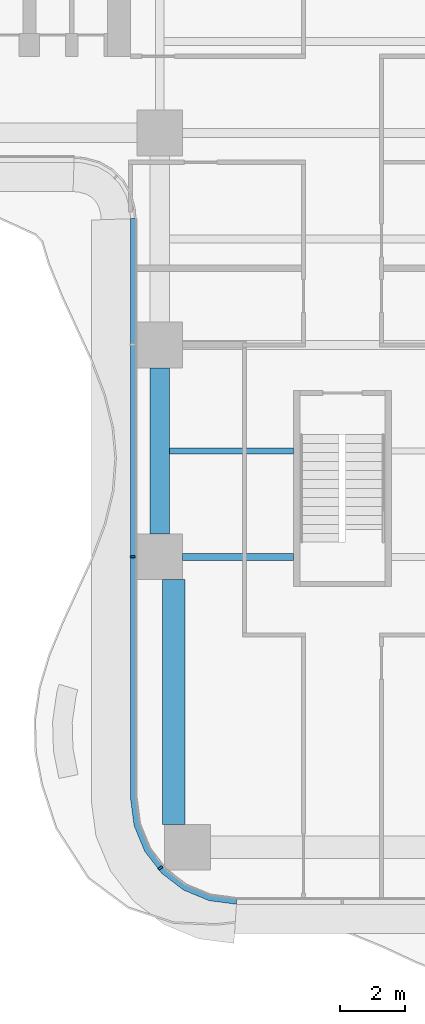
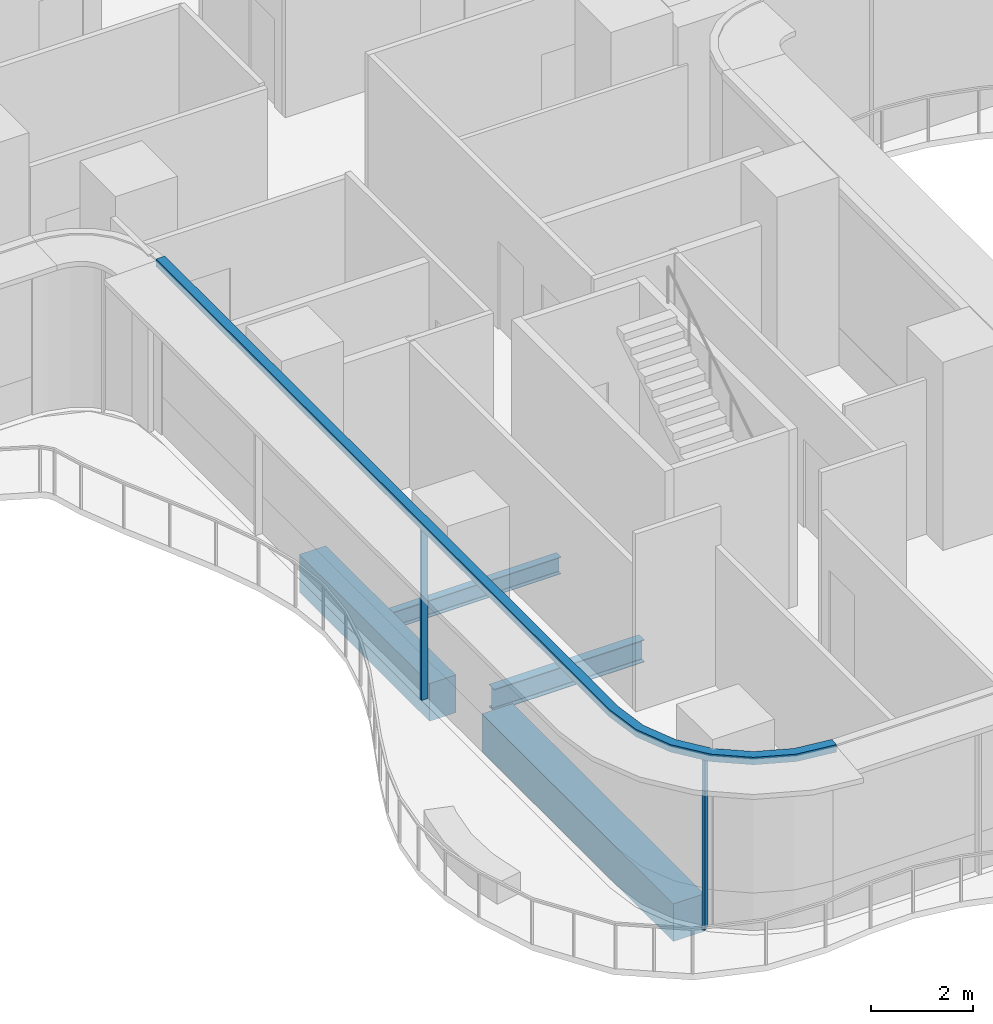
# One storey, part 2 of 22: 4 beams, 3 members, 1 element without a shape of its own.
"""IFC4 building model written with IfcOpenShell, lengths in metres."""

from ifc_helpers import new_model, si_unit, direction, frame, origin, origin_2d, place, context, subcontext, project, spatial, polyline, rectangle, i_section, outline, extrude, source, transform, mapped, material, layer, layer_set, material_profile, profile_set, type_object, element, aggregate, save


model = new_model("IFC4")

# Units and contexts
model_context = context("Model", 3, precision=1e-05, world=origin(), true_north=direction((0.0, 1.0)))
body_context = subcontext(model_context, "Body", "Model", "MODEL_VIEW")
ifc_project = project(units=[si_unit("LENGTHUNIT", "METRE"), si_unit("AREAUNIT", "SQUARE_METRE"), si_unit("VOLUMEUNIT", "CUBIC_METRE"), si_unit("PLANEANGLEUNIT", "RADIAN"), si_unit("MASSUNIT", "GRAM", prefix="KILO")], contexts=[model_context])

# Site, building, storey
site_placement = place(None, origin())
site = spatial("IfcSite", under=ifc_project, at=site_placement, CompositionType="ELEMENT")
building_placement = place(site_placement, origin())
building = spatial("IfcBuilding", under=site, at=building_placement, Name="Trellis Farm Tower", CompositionType="ELEMENT")
storey_placement = place(building_placement, frame((0.0, 0.0, 47.5)))
storey = spatial("IfcBuildingStorey", under=building, at=storey_placement, Name="L09", CompositionType="ELEMENT", Elevation=47.5)

# Beams
ifc_material_1 = material(Name="Steel S355", Category="steel")
ifc_material_profile_1 = material_profile(ifc_material_1, i_section(OverallWidth=0.209228515625, OverallDepth=0.533203125, WebThickness=0.010009765625, FlangeThickness=0.015625, FilletRadius=0.0126953125, at=origin_2d()), Name="UB 533x210x92")
ifc_profile_set_1 = profile_set([ifc_material_profile_1], Name="Steel S355")
beam_type_1 = type_object("IfcBeamType", Name="UB 533x210x92", PredefinedType="BEAM", material=ifc_profile_set_1)
shared_shape_1 = source(origin(), body_context, "Body", "SweptSolid", [
    extrude(i_section(OverallWidth=0.209228515625, OverallDepth=0.533203125, WebThickness=0.010009765625, FlangeThickness=0.015625, FilletRadius=0.0126953125, at=origin_2d()), origin(), (0.0, 0.0, 1.0), 3.39990234375),
])
beam_1_placement = place(storey_placement, frame((-4.89990234375, -18.60009765625, -0.5166015625), z_axis=(1.0, 0.0, 0.0), x_axis=(0.0, 1.0, 0.0)))
element("IfcBeam", 1, at=beam_1_placement, inside=storey, type_object=beam_type_1, Name="Girder", PredefinedType="BEAM", context=body_context, shape_type="MappedRepresentation", body=[
    mapped(shared_shape_1, transform((0.0, 0.0, 0.0))),
])
ifc_material_2 = material(Name="Concrete C60/75", Category="concrete")
ifc_material_profile_2 = material_profile(ifc_material_2, rectangle(XDim=0.60009765625, YDim=0.89990234375, at=origin_2d()), Name="RC spandrel beam 600x900 C60/75")
ifc_profile_set_2 = profile_set([ifc_material_profile_2], Name="Concrete C60/75")
beam_type_2 = type_object("IfcBeamType", Name="RC spandrel beam 600x900 C60/75", PredefinedType="SPANDREL", material=ifc_profile_set_2)
shared_shape_2 = source(origin(), body_context, "Body", "SweptSolid", [
    extrude(rectangle(XDim=0.60009765625, YDim=0.89990234375, at=origin_2d()), origin(), (0.0, 0.0, 1.0), 5.099853515625),
])
beam_2_placement = place(storey_placement, frame((-5.60009765625, -17.89990234375, -0.699951171875), z_axis=(0.0, 1.0, 0.0), x_axis=(-1.0, 0.0, 0.0)))
element("IfcBeam", 2, at=beam_2_placement, inside=storey, type_object=beam_type_2, Name="Girder", PredefinedType="SPANDREL", context=body_context, shape_type="MappedRepresentation", body=[
    mapped(shared_shape_2, transform((0.0, 0.0, 0.0))),
])
ifc_material_profile_3 = material_profile(ifc_material_2, rectangle(XDim=0.699951171875, YDim=0.89990234375, at=origin_2d()), Name="RC spandrel beam 700x900 C60/75")
ifc_profile_set_3 = profile_set([ifc_material_profile_3], Name="Concrete C60/75")
beam_type_3 = type_object("IfcBeamType", Name="RC spandrel beam 700x900 C60/75", PredefinedType="SPANDREL", material=ifc_profile_set_3)
shared_shape_3 = source(origin(), body_context, "Body", "SweptSolid", [
    extrude(rectangle(XDim=0.699951171875, YDim=0.89990234375, at=origin_2d()), origin(), (0.0, 0.0, 1.0), 7.5),
])
beam_3_placement = place(storey_placement, frame((-5.175048828125, -26.800048828125, -0.699951171875), z_axis=(0.0, 1.0, 0.0), x_axis=(-1.0, 0.0, 0.0)))
element("IfcBeam", 3, at=beam_3_placement, inside=storey, type_object=beam_type_3, Name="Girder", PredefinedType="SPANDREL", context=body_context, shape_type="MappedRepresentation", body=[
    mapped(shared_shape_3, transform((0.0, 0.0, 0.0))),
])
ifc_material_profile_4 = material_profile(ifc_material_1, i_section(OverallWidth=0.177978515625, OverallDepth=0.406494140625, WebThickness=0.0078125, FlangeThickness=0.0126953125, FilletRadius=0.01025390625, at=origin_2d()), Name="UB 406x178x60")
ifc_profile_set_4 = profile_set([ifc_material_profile_4], Name="Steel S355")
beam_type_4 = type_object("IfcBeamType", Name="UB 406x178x60 joist", PredefinedType="JOIST", material=ifc_profile_set_4)
shared_shape_4 = source(origin(), body_context, "Body", "SweptSolid", [
    extrude(i_section(OverallWidth=0.177978515625, OverallDepth=0.406494140625, WebThickness=0.0078125, FlangeThickness=0.0126953125, FilletRadius=0.01025390625, at=origin_2d()), origin(), (0.0, 0.0, 1.0), 3.800048828125),
])
beam_4_placement = place(storey_placement, frame((-5.300048828125, -15.35009765625, -0.453125), z_axis=(1.0, 0.0, 0.0), x_axis=(0.0, 1.0, 0.0)))
element("IfcBeam", 4, at=beam_4_placement, inside=storey, type_object=beam_type_4, Name="Floor beam", PredefinedType="JOIST", context=body_context, shape_type="MappedRepresentation", body=[
    mapped(shared_shape_4, transform((0.0, 0.0, 0.0))),
])

# Curtain wall, members
ifc_material_3 = material(Name="Aluminium and glass curtain wall", Category="aluminium")
ifc_layer_1 = layer(ifc_material_3, 0.18994140625)
ifc_layer_set_1 = layer_set([ifc_layer_1], Name="RIBBON CURTAIN WALL CW1")
curtain_wall_type = type_object("IfcCurtainWallType", Name="RIBBON CURTAIN WALL CW1", PredefinedType="NOTDEFINED", material=ifc_layer_set_1)
curtain_wall_placement = place(storey_placement, origin())
curtain_wall = element("IfcCurtainWall", 5, at=curtain_wall_placement, inside=storey, type_object=curtain_wall_type, Name="CW1 002", PredefinedType="NOTDEFINED")
ifc_material_4 = material(Name="Aluminium extrusion 6063-T6", Category="aluminium")
ifc_material_profile_5 = material_profile(ifc_material_4, rectangle(XDim=0.06005859375, YDim=0.14990234375, at=origin_2d()), Name="MULLION 60x150")
ifc_profile_set_5 = profile_set([ifc_material_profile_5], Name="Aluminium extrusion 6063-T6")
member_type_1 = type_object("IfcMemberType", Name="CW1 MULLION 60x150", PredefinedType="MULLION", material=ifc_profile_set_5)
shared_shape_5 = source(origin(), body_context, "Body", "SweptSolid", [
    extrude(rectangle(XDim=0.06005859375, YDim=0.14990234375, at=origin_2d()), origin(), (0.0, 0.0, 1.0), 4.070068359375),
])
member_1_placement = place(storey_placement, frame((-6.425048828125, -18.60009765625, 0.0), z_axis=(0.0, 0.0, 1.0), x_axis=(0.0, -1.0, 0.0)))
member_1 = element("IfcMember", 6, at=member_1_placement, type_object=member_type_1, Name="MU1 002-02", PredefinedType="MULLION", context=body_context, shape_type="MappedRepresentation", body=[
    mapped(shared_shape_5, transform((0.0, 0.0, 0.0))),
])
member_2_placement = place(storey_placement, frame((-5.578369140625, -28.135498046875, 0.0), z_axis=(0.0, 0.0, 1.0), x_axis=(0.608761429009, -0.793353340291, 0.0)))
member_2 = element("IfcMember", 7, at=member_2_placement, type_object=member_type_1, Name="MU1 002-03", PredefinedType="MULLION", context=body_context, shape_type="MappedRepresentation", body=[
    mapped(shared_shape_5, transform((0.0, 0.0, 0.0))),
])
ifc_layer_2 = layer(ifc_material_4, 0.199951171875)
ifc_layer_set_2 = layer_set([ifc_layer_2], Name="Aluminium extrusion 6063-T6")
member_type_2 = type_object("IfcMemberType", Name="CW1 TRANSOM 200x180", PredefinedType="USERDEFINED", material=ifc_layer_set_2)
shared_shape_6 = source(origin(), body_context, "Body", "SweptSolid", [
    extrude(outline(polyline([(-6.5, -8.2314453125), (-6.5, -26.0), (-6.38916015625, -26.841064453125), (-6.064697265625, -27.625), (-5.548095703125, -28.298095703125), (-4.875, -28.814697265625), (-4.091064453125, -29.13916015625), (-3.25, -29.25), (-3.23681640625, -29.050048828125), (-4.0390625, -28.9443359375), (-4.774169921875, -28.639892578125), (-5.405517578125, -28.155517578125), (-5.889892578125, -27.524169921875), (-6.1943359375, -26.7890625), (-6.300048828125, -25.98681640625), (-6.300048828125, -8.224853515625), (-6.5, -8.2314453125)])), origin(), (0.0, 0.0, 1.0), 0.179931640625),
])
member_3_placement = place(storey_placement, frame((0.0, 0.0, 4.070068359375)))
member_3 = element("IfcMember", 8, at=member_3_placement, type_object=member_type_2, Name="TR1 002", ObjectType="TRANSOM", PredefinedType="USERDEFINED", context=body_context, shape_type="MappedRepresentation", body=[
    mapped(shared_shape_6, transform((0.0, 0.0, 0.0))),
])
aggregate(curtain_wall, [member_1, member_2, member_3])

save(model, "model.ifc")
